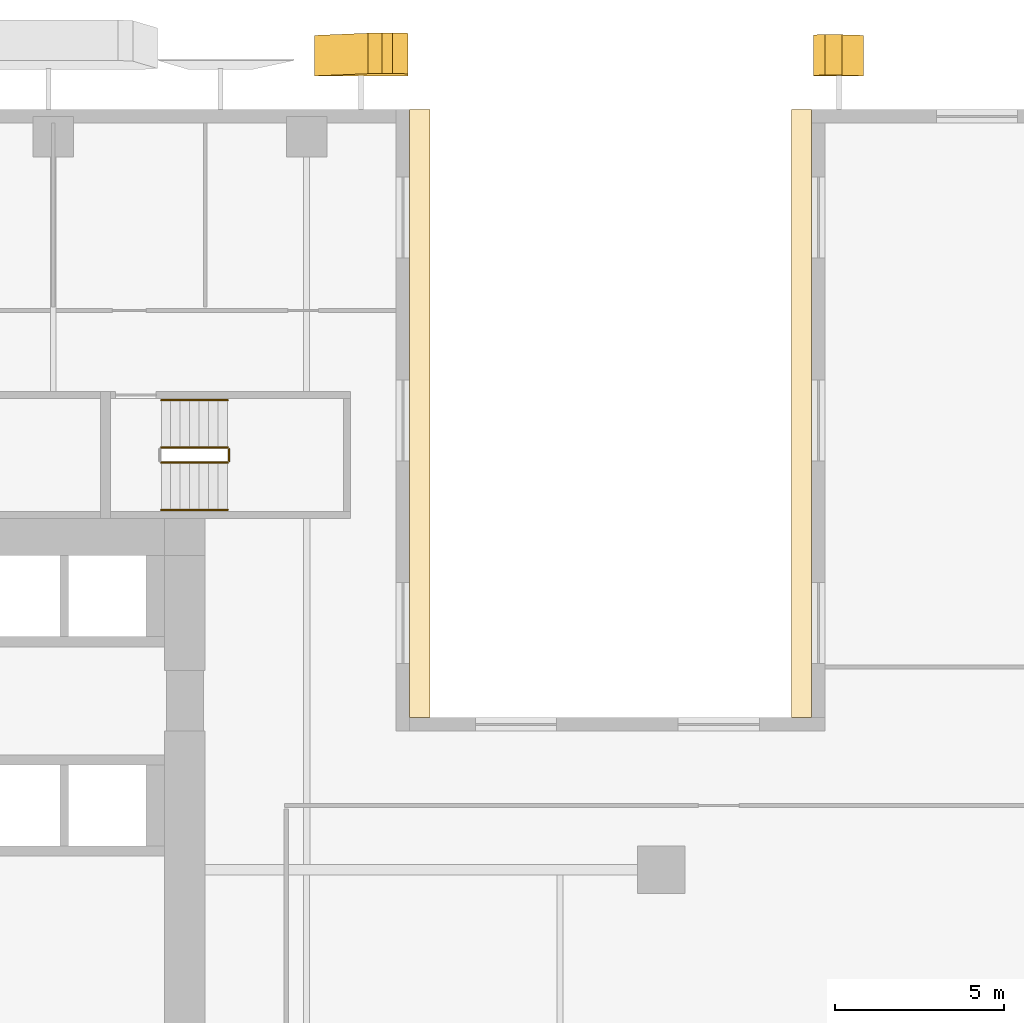
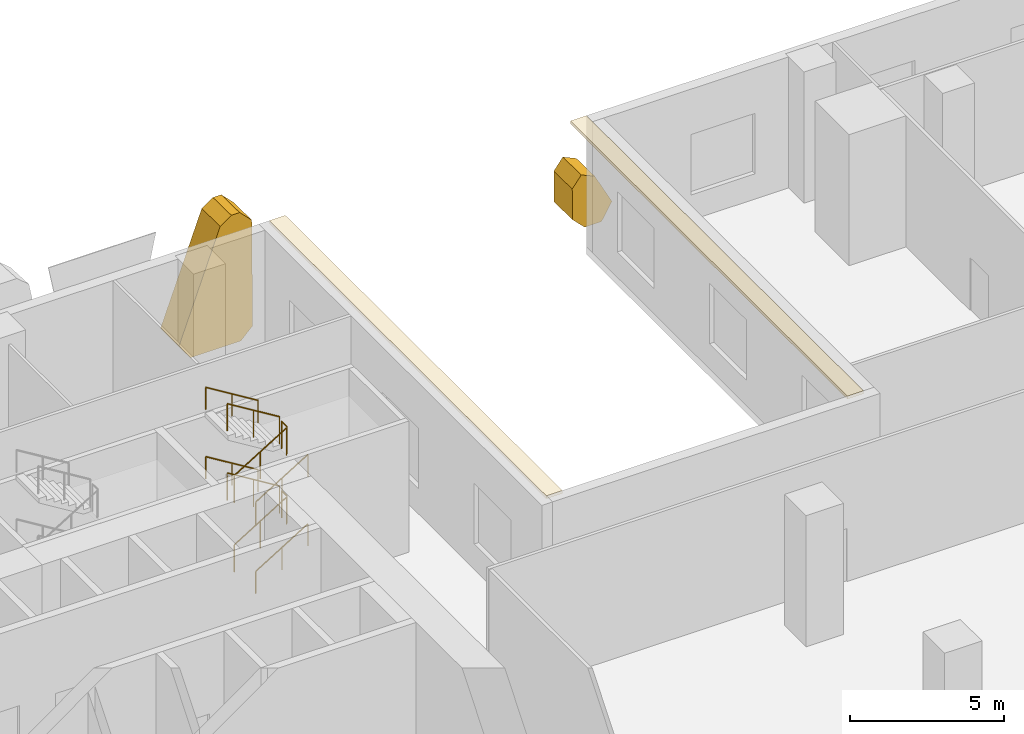
# One storey, part 20 of 23: 10 railings, 4 coverings.
"""IFC4 building model written with IfcOpenShell, lengths in metres."""

from ifc_helpers import new_model, si_unit, direction, frame, origin, origin_2d, place, context, subcontext, project, spatial, polyline, circle, outline, extrude, source, transform, mapped, material, layer, layer_set, type_object, element, save


model = new_model("IFC4")

# Units and contexts
model_context = context("Model", 3, precision=1e-05, world=origin(), true_north=direction((0.0, 1.0)))
body_context = subcontext(model_context, "Body", "Model", "MODEL_VIEW")
ifc_project = project(units=[si_unit("LENGTHUNIT", "METRE"), si_unit("AREAUNIT", "SQUARE_METRE"), si_unit("VOLUMEUNIT", "CUBIC_METRE"), si_unit("PLANEANGLEUNIT", "RADIAN"), si_unit("MASSUNIT", "GRAM", prefix="KILO")], contexts=[model_context])

# Site, building, storey
site_placement = place(None, origin())
site = spatial("IfcSite", under=ifc_project, at=site_placement, CompositionType="ELEMENT")
building_placement = place(site_placement, origin())
building = spatial("IfcBuilding", under=site, at=building_placement, Name="Khomas Fold Tower", CompositionType="ELEMENT")
storey_placement = place(building_placement, frame((0.0, 0.0, 13.0)))
storey = spatial("IfcBuildingStorey", under=building, at=storey_placement, Name="L02", CompositionType="ELEMENT", Elevation=13.0)

# Coverings
ifc_material_1 = material(Name="Natural stone cladding", Category="masonry")
ifc_layer_1 = layer(ifc_material_1, 1.199951171875)
ifc_layer_set_1 = layer_set([ifc_layer_1], Name="Natural stone cladding")
covering_type_1 = type_object("IfcCoveringType", Name="SK-Karibib marble stone panel", PredefinedType="CLADDING", material=ifc_layer_set_1)
covering_1_placement = place(storey_placement, frame((42.0, 54.99365234375, 0.449951171875), z_axis=(5.689793e-06, -0.999877338842, 0.01566228712), x_axis=(-3.85e-10, 0.01566228712, 0.999877338858)))
element("IfcCovering", 1, at=covering_1_placement, inside=storey, type_object=covering_type_1, Name="OUTER SKIN leaf L02 NS08-2", PredefinedType="CLADDING", context=body_context, shape_type="SweptSolid", body=[
    extrude(outline(polyline([(0.0, 0.0), (1.205468852063284, 1.3234889800848443e-23), (1.6425340327410378, -0.3420410157336846), (1.4149693470393416, -0.8483886727198953), (0.20949667093144353, -1.4821777338206954), (-0.45000687098433356, -1.0839843746274114), (-0.4500068707401917, -0.44995117151267455), (0.0, 0.0)])), origin(), (0.0, 0.0, -1.0), 1.199951171875),
])
covering_2_placement = place(storey_placement, frame((27.23583984375, 54.99609375, 0.6103515625), z_axis=(3.5842517e-05, -0.999876798488, 0.015696705411), x_axis=(0.356272384588, 0.014679489364, 0.934266825148)))
element("IfcCovering", 2, at=covering_2_placement, inside=storey, type_object=covering_type_1, Name="OUTER SKIN leaf L02 NS08-3", PredefinedType="CLADDING", context=body_context, shape_type="SweptSolid", body=[
    extrude(outline(polyline([(0.0, 0.0), (4.441880984966825, 2.220446049250313e-16), (4.86247538877754, -0.289564596378741), (4.973375606147986, -0.5804184124542793), (4.713202398349105, -1.161169772789893), (0.8349013279507523, -2.639934731628884), (0.25411776624797966, -2.3798334127061187), (-0.42059045817754637, -0.610301607766551), (0.0, 0.0)])), origin(), (0.0, 0.0, -1.0), 1.199951171875),
])
ifc_material_2 = material(Name="Natural stone cladding", Category="masonry")
ifc_layer_2 = layer(ifc_material_2, 0.1201171875)
ifc_layer_set_2 = layer_set([ifc_layer_2], Name="Natural stone cladding")
covering_type_2 = type_object("IfcCoveringType", Name="Notch soffit stone GN-SF", PredefinedType="CLADDING", material=ifc_layer_set_2)
shared_shape_1 = source(origin(), body_context, "Body", "SweptSolid", [
    extrude(outline(polyline([(41.35009765625, 54.0), (41.35009765625, 36.0), (41.949951171875, 36.0), (41.949951171875, 54.0), (41.35009765625, 54.0)])), origin(), (0.0, 0.0, 1.0), 0.119873046875),
])
covering_3_placement = place(storey_placement, frame((0.0, 0.0, 5.080078125)))
element("IfcCovering", 3, at=covering_3_placement, inside=storey, type_object=covering_type_2, Name="Notch soffit stone", PredefinedType="CLADDING", context=body_context, shape_type="MappedRepresentation", body=[
    mapped(shared_shape_1, transform((0.0, 0.0, 0.0))),
])
shared_shape_2 = source(origin(), body_context, "Body", "SweptSolid", [
    extrude(outline(polyline([(30.64990234375, 36.0), (30.64990234375, 54.0), (30.050048828125, 54.0), (30.050048828125, 36.0), (30.64990234375, 36.0)])), origin(), (0.0, 0.0, 1.0), 0.119873046875),
])
covering_4_placement = place(storey_placement, frame((0.0, 0.0, 5.080078125)))
element("IfcCovering", 4, at=covering_4_placement, inside=storey, type_object=covering_type_2, Name="Notch soffit stone", PredefinedType="CLADDING", context=body_context, shape_type="MappedRepresentation", body=[
    mapped(shared_shape_2, transform((0.0, 0.0, 0.0))),
])

# Railings
ifc_material_3 = material(Name="Steel balustrade", Category="steel")
railing_type_1 = type_object("IfcRailingType", Name="Stair guard", PredefinedType="GUARDRAIL", material=ifc_material_3)
shared_shape_3 = source(origin(), body_context, "Body", "SweptSolid", [
    extrude(circle(Radius=0.02392578125, at=origin_2d()), frame((0.0, 0.0, 1.076171875), z_axis=(0.0, 1.0, 0.0), x_axis=(-1.0, 0.0, 0.0)), (0.0, 0.0, 1.0), 0.349853515625),
    extrude(circle(Radius=0.02099609375, at=origin_2d()), origin(), (0.0, 0.0, 1.0), 1.052001953125),
    extrude(circle(Radius=0.02099609375, at=origin_2d()), frame((0.0, 0.349853515625, 0.0)), (0.0, 0.0, 1.0), 1.052001953125),
])
for number, where, name in (
    (5, (24.7099609375, 43.60009765625, 1.375), "L02 ST3 stair guard 2"),
    (6, (24.7099609375, 43.60009765625, 4.125), "L02 ST3 stair guard 6"),
):
    element("IfcRailing", number, at=place(storey_placement, frame(where)), inside=storey, type_object=railing_type_1, Name=name, PredefinedType="GUARDRAIL", context=body_context, shape_type="MappedRepresentation", body=[
        mapped(shared_shape_3, transform((0.0, 0.0, 0.0))),
    ])
shared_shape_4 = source(origin(), body_context, "Body", "SweptSolid", [
    extrude(circle(Radius=0.02392578125, at=origin_2d()), frame((0.0, 0.0, 1.076171875), z_axis=(0.852240978134, 0.0, 0.523149419562), x_axis=(0.0, 1.0, 0.0)), (0.0, 0.0, 1.0), 2.2998046875),
    extrude(circle(Radius=0.02099609375, at=origin_2d()), origin(), (0.0, 0.0, 1.0), 1.052001953125),
    extrude(circle(Radius=0.02099609375, at=origin_2d()), frame((0.97998046875, 0.0, 0.6015625)), (0.0, 0.0, 1.0), 1.052001953125),
    extrude(circle(Radius=0.02099609375, at=origin_2d()), frame((1.9599609375, 0.0, 1.203125)), (0.0, 0.0, 1.0), 1.052001953125),
])
for number, where, name in (
    (7, (22.699951171875, 43.550048828125, 0.171875), "L02 ST3 stair guard 1"),
    (8, (22.699951171875, 43.550048828125, 2.921875), "L02 ST3 stair guard 5"),
):
    element("IfcRailing", number, at=place(storey_placement, frame(where)), inside=storey, type_object=railing_type_1, Name=name, PredefinedType="GUARDRAIL", context=body_context, shape_type="MappedRepresentation", body=[
        mapped(shared_shape_4, transform((0.0, 0.0, 0.0))),
    ])
shared_shape_5 = source(origin(), body_context, "Body", "SweptSolid", [
    extrude(circle(Radius=0.02392578125, at=origin_2d()), frame((0.0, 0.0, 1.076171875), z_axis=(-0.852240978134, 0.0, 0.523149419562), x_axis=(0.0, -1.0, 0.0)), (0.0, 0.0, 1.0), 2.2998046875),
    extrude(circle(Radius=0.02099609375, at=origin_2d()), origin(), (0.0, 0.0, 1.0), 1.052001953125),
    extrude(circle(Radius=0.02099609375, at=origin_2d()), frame((-0.97998046875, 0.0, 0.6015625)), (0.0, 0.0, 1.0), 1.052001953125),
    extrude(circle(Radius=0.02099609375, at=origin_2d()), frame((-1.9599609375, 0.0, 1.203125)), (0.0, 0.0, 1.0), 1.052001953125),
])
for number, where, name in (
    (9, (24.659912109375, 44.0, 1.546875), "L02 ST3 stair guard 3"),
    (10, (24.659912109375, 44.0, 4.296875), "L02 ST3 stair guard 7"),
):
    element("IfcRailing", number, at=place(storey_placement, frame(where)), inside=storey, type_object=railing_type_1, Name=name, PredefinedType="GUARDRAIL", context=body_context, shape_type="MappedRepresentation", body=[
        mapped(shared_shape_5, transform((0.0, 0.0, 0.0))),
    ])
ifc_material_4 = material(Name="Steel handrail", Category="steel")
railing_type_2 = type_object("IfcRailingType", Name="Stair handrail", PredefinedType="HANDRAIL", material=ifc_material_4)
shared_shape_6 = source(origin(), body_context, "Body", "SweptSolid", [
    extrude(circle(Radius=0.02392578125, at=origin_2d()), frame((0.0, 0.0, 0.8759765625), z_axis=(0.852240978134, 0.0, 0.523149419562), x_axis=(0.0, 1.0, 0.0)), (0.0, 0.0, 1.0), 2.2998046875),
    extrude(circle(Radius=0.02099609375, at=origin_2d()), origin(), (0.0, 0.0, 1.0), 0.851806640625),
    extrude(circle(Radius=0.02099609375, at=origin_2d()), frame((0.97998046875, 0.0, 0.6015625)), (0.0, 0.0, 1.0), 0.851806640625),
    extrude(circle(Radius=0.02099609375, at=origin_2d()), frame((1.9599609375, 0.0, 1.203125)), (0.0, 0.0, 1.0), 0.851806640625),
])
for number, where, name in (
    (11, (22.699951171875, 42.14990234375, 0.171875), "L02 ST3 stair handrail 1"),
    (12, (22.699951171875, 42.14990234375, 2.921875), "L02 ST3 stair handrail 3"),
):
    element("IfcRailing", number, at=place(storey_placement, frame(where)), inside=storey, type_object=railing_type_2, Name=name, PredefinedType="HANDRAIL", context=body_context, shape_type="MappedRepresentation", body=[
        mapped(shared_shape_6, transform((0.0, 0.0, 0.0))),
    ])
shared_shape_7 = source(origin(), body_context, "Body", "SweptSolid", [
    extrude(circle(Radius=0.02392578125, at=origin_2d()), frame((0.0, 0.0, 0.8759765625), z_axis=(-0.852240978134, 0.0, 0.523149419562), x_axis=(0.0, -1.0, 0.0)), (0.0, 0.0, 1.0), 2.2998046875),
    extrude(circle(Radius=0.02099609375, at=origin_2d()), origin(), (0.0, 0.0, 1.0), 0.851806640625),
    extrude(circle(Radius=0.02099609375, at=origin_2d()), frame((-0.97998046875, 0.0, 0.6015625)), (0.0, 0.0, 1.0), 0.851806640625),
    extrude(circle(Radius=0.02099609375, at=origin_2d()), frame((-1.9599609375, 0.0, 1.203125)), (0.0, 0.0, 1.0), 0.851806640625),
])
for number, where, name in (
    (13, (24.659912109375, 45.39990234375, 1.546875), "L02 ST3 stair handrail 2"),
    (14, (24.659912109375, 45.39990234375, 4.296875), "L02 ST3 stair handrail 4"),
):
    element("IfcRailing", number, at=place(storey_placement, frame(where)), inside=storey, type_object=railing_type_2, Name=name, PredefinedType="HANDRAIL", context=body_context, shape_type="MappedRepresentation", body=[
        mapped(shared_shape_7, transform((0.0, 0.0, 0.0))),
    ])

save(model, "model.ifc")
